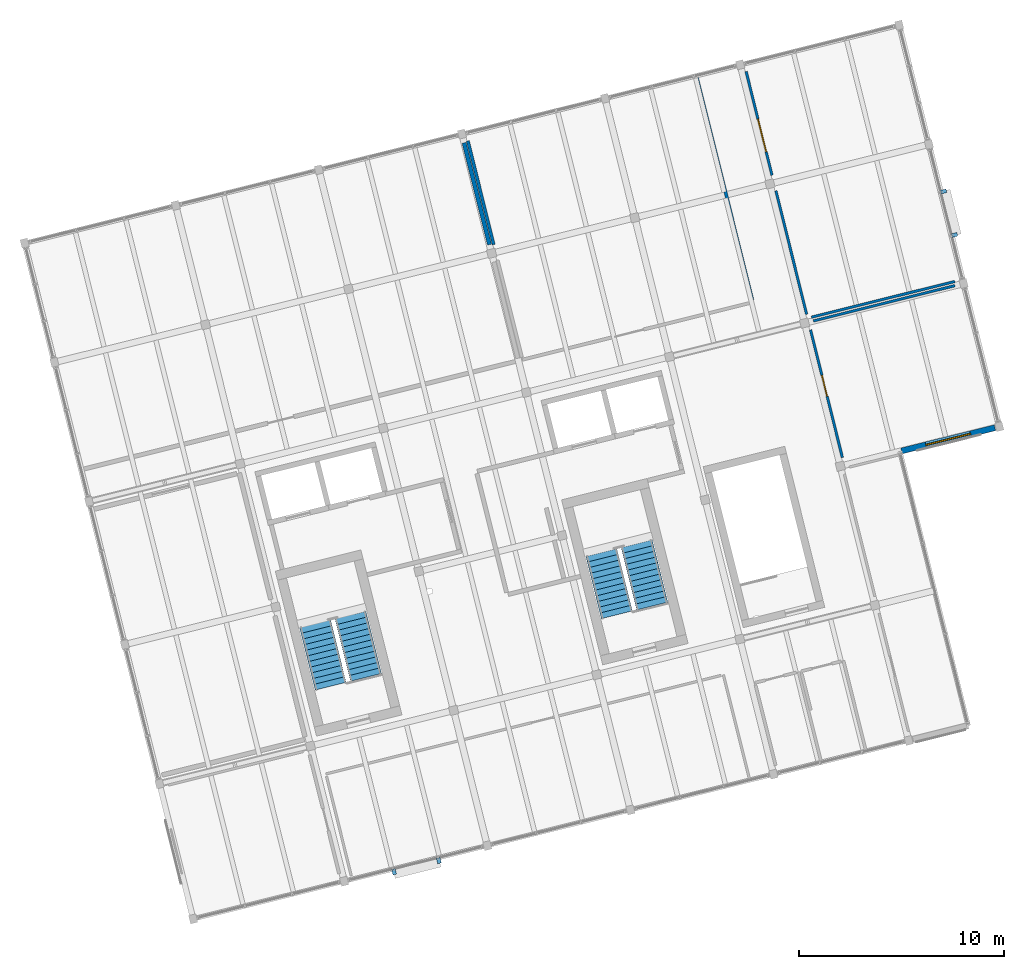
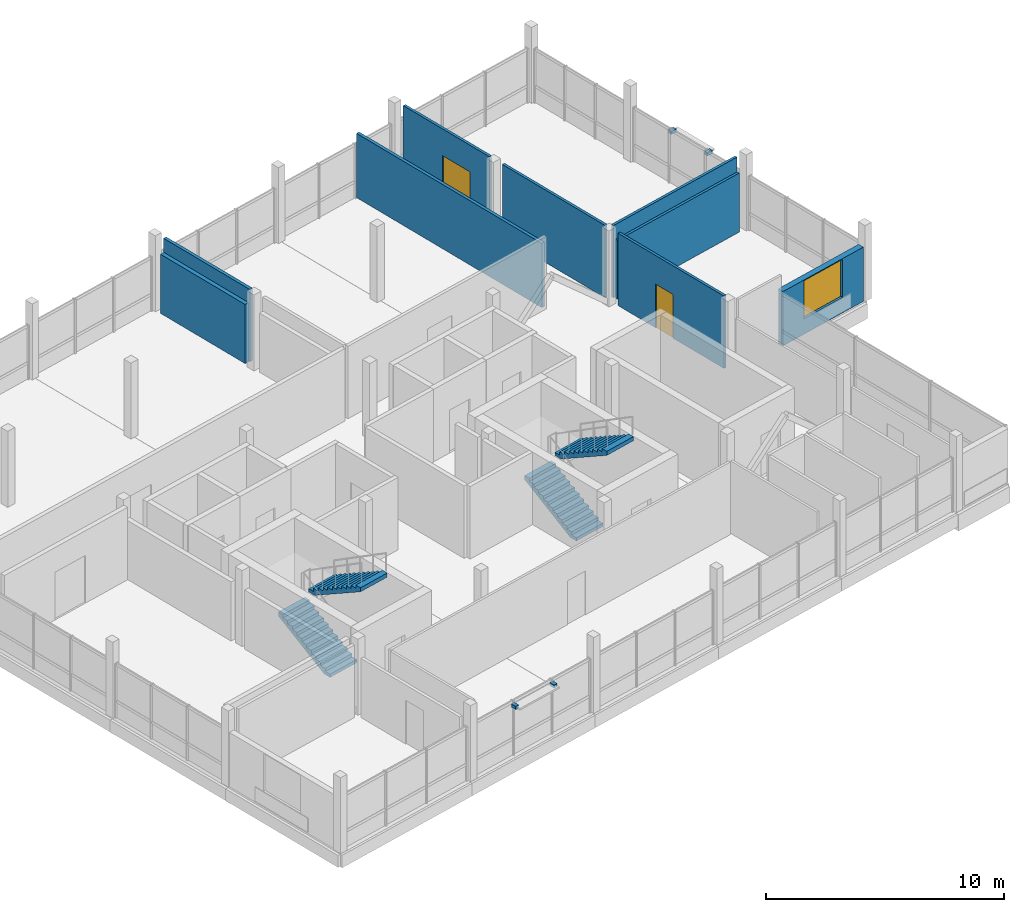
# One storey, part 27 of 28: 9 walls, 4 discrete accessories, 4 stair flights, 2 doors, 1 window, 3 openings, 2 elements without a shape of their own.
"""IFC4 building model written with IfcOpenShell, lengths in metres."""

from ifc_helpers import new_model, si_unit, direction, frame, frame_2d, origin, origin_2d, place, context, subcontext, project, spatial, polyline, rectangle, outline, extrude, material, layer, layer_set, type_object, element, fill, aggregate, save


model = new_model("IFC4")

# Units and contexts
model_context = context("Model", 3, precision=1e-05, world=origin(), true_north=direction((0.0, 1.0)))
body_context = subcontext(model_context, "Body", "Model", "MODEL_VIEW")
ifc_project = project(units=[si_unit("LENGTHUNIT", "METRE"), si_unit("AREAUNIT", "SQUARE_METRE"), si_unit("VOLUMEUNIT", "CUBIC_METRE"), si_unit("PLANEANGLEUNIT", "RADIAN"), si_unit("MASSUNIT", "GRAM", prefix="KILO")], contexts=[model_context])

# Site, building, storey
site_placement = place(None, origin())
site = spatial("IfcSite", under=ifc_project, at=site_placement, CompositionType="ELEMENT")
building_placement = place(site_placement, origin())
building = spatial("IfcBuilding", under=site, at=building_placement, Name="Meriwether Solvik Hall", CompositionType="ELEMENT")
storey_placement = place(building_placement, frame((0.0, 0.0, 30.0)))
storey = spatial("IfcBuildingStorey", under=building, at=storey_placement, Name="L07", CompositionType="ELEMENT", Elevation=30.0)

# Wall, opening, window
ifc_material_1 = material(Name="Cross-Laminated Timber and Mineral-Wool Insulation", Category="wood")
ifc_layer_1 = layer(ifc_material_1, 0.2900390625)
ifc_layer_set_1 = layer_set([ifc_layer_1], Name="Cross-Laminated Timber and Mineral-Wool Insulation")
wall_type_1 = type_object("IfcWallType", Name="WALL-EXT-290", PredefinedType="SOLIDWALL", material=ifc_layer_set_1)
wall_1_placement = place(storey_placement, frame((107.739013671875, 65.180908203125, 0.0), z_axis=(0.0, 0.0, 1.0), x_axis=(-0.970298204302, -0.241911956565, 0.0)))
wall_1 = element("IfcWall", 1, at=wall_1_placement, inside=storey, type_object=wall_type_1, Name="L07 Timber Rainscreen Wall 3.0", PredefinedType="SOLIDWALL", context=body_context, shape_type="SweptSolid", body=[
    extrude(rectangle(XDim=4.697998046875, YDim=0.2900390625, at=frame_2d((2.34912109375, 0.0))), origin(), (0.0, 0.0, 1.0), 2.7900390625),
])
opening_1_placement = place(wall_1_placement, frame((1.22412109375, 0.0, 0.800048828125)))
opening_1 = element("IfcOpeningElement", 2, at=opening_1_placement, cuts=wall_1, Name="Opening WN-150", PredefinedType="OPENING", context=body_context, shape_type="SweptSolid", body=[
    extrude(rectangle(XDim=2.25, YDim=1.949951171875, at=frame_2d((1.125, 0.97509765625))), frame((0.0, 0.156982421875, 0.0), z_axis=(0.0, -1.0, 0.0), x_axis=(1.0, 0.0, 0.0)), (0.0, 0.0, 1.0), 0.31396484375),
])
ifc_material_2 = material(Name="Thermally Broken Anodised Aluminium and Triple Low-E Glass", Category="aluminium")
window_type = type_object("IfcWindowType", Name="WIN-TW-SHARD-225X195", PartitioningType="SINGLE_PANEL", PredefinedType="WINDOW", material=ifc_material_2)
window_placement = place(opening_1_placement, origin())
window = element("IfcWindow", 3, at=window_placement, inside=storey, type_object=window_type, Name="L07 Punched Window 3.0", OverallHeight=1.949951171875, OverallWidth=2.25, PartitioningType="SINGLE_PANEL", PredefinedType="WINDOW", context=body_context, shape_type="SweptSolid", body=[
    extrude(rectangle(XDim=2.25, YDim=1.949951171875, at=frame_2d((1.125, 0.97509765625))), frame((0.0, 0.030029296875, 0.0), z_axis=(0.0, -1.0, 0.0), x_axis=(1.0, 0.0, 0.0)), (0.0, 0.0, 1.0), 0.06005859375),
])
fill(opening_1, window)

# Walls
ifc_material_3 = material(Name="Fire-Rated Type X Gypsum Board", Category="gypsum")
ifc_layer_2 = layer(ifc_material_3, 0.199951171875)
ifc_layer_set_2 = layer_set([ifc_layer_2], Name="Fire-Rated Type X Gypsum Board")
wall_type_2 = type_object("IfcWallType", Name="WALL-FIRE-200", PredefinedType="STANDARD", material=ifc_layer_set_2)
wall_2_placement = place(storey_placement, frame((83.066650390625, 74.115966796875, 0.0), z_axis=(0.0, 0.0, 1.0), x_axis=(-0.241941301347, 0.970290887674, 0.0)))
element("IfcWall", 4, at=wall_2_placement, inside=storey, type_object=wall_type_2, Name="L07 Interior Partition lab_nw_e_s2", PredefinedType="STANDARD", context=body_context, shape_type="SweptSolid", body=[
    extrude(rectangle(XDim=5.123046875, YDim=0.199951171875, at=frame_2d((2.5615234375, 0.0))), origin(), (0.0, 0.0, 1.0), 3.034912109375),
])
ifc_material_4 = material(Name="Gypsum Board Partition", Category="gypsum")
ifc_layer_3 = layer(ifc_material_4, 0.125)
ifc_layer_set_3 = layer_set([ifc_layer_3], Name="Gypsum Board Partition")
wall_type_3 = type_object("IfcWallType", Name="WALL-PART-125", PredefinedType="PARTITIONING", material=ifc_layer_set_3)
wall_3_placement = place(storey_placement, frame((105.787353515625, 72.11474609375, 0.0), z_axis=(0.0, 0.0, 1.0), x_axis=(-0.97029150847, -0.241938811667, 0.0)))
element("IfcWall", 5, at=wall_3_placement, inside=storey, type_object=wall_type_3, Name="L07 Interior Partition off_e1_n", PredefinedType="PARTITIONING", context=body_context, shape_type="SweptSolid", body=[
    extrude(rectangle(XDim=7.123291015625, YDim=0.125, at=frame_2d((3.5615234375, 0.0))), origin(), (0.0, 0.0, 1.0), 3.034912109375),
])

# Wall, opening, door
wall_4_placement = place(storey_placement, frame((98.738525390625, 69.95556640625, 0.0), z_axis=(0.0, 0.0, 1.0), x_axis=(0.241945001105, -0.970289965134, 0.0)))
wall_4 = element("IfcWall", 6, at=wall_4_placement, inside=storey, type_object=wall_type_3, Name="L07 Interior Partition off_e1_w", PredefinedType="PARTITIONING", context=body_context, shape_type="SweptSolid", body=[
    extrude(rectangle(XDim=6.419677734375, YDim=0.125, at=frame_2d((3.2099609375, 0.0))), origin(), (0.0, 0.0, 1.0), 3.719970703125),
])
opening_2_placement = place(wall_4_placement, frame((2.29052734375, 0.0, 0.0)))
opening_2 = element("IfcOpeningElement", 7, at=opening_2_placement, cuts=wall_4, Name="Opening D-175", PredefinedType="OPENING", context=body_context, shape_type="SweptSolid", body=[
    extrude(rectangle(XDim=1.050048828125, YDim=2.25, at=frame_2d((0.52490234375, 1.125))), frame((0.0, 0.074462890625, 0.0), z_axis=(0.0, -1.0, 0.0), x_axis=(1.0, 0.0, 0.0)), (0.0, 0.0, 1.0), 0.14892578125),
])
ifc_material_5 = material(Name="Solid-Core Rift White Oak Timber", Category="wood")
door_type_1 = type_object("IfcDoorType", Name="DR-FEL-1050L", OperationType="SINGLE_SWING_LEFT", PredefinedType="DOOR", material=ifc_material_5)
door_1_placement = place(opening_2_placement, origin())
door_1 = element("IfcDoor", 8, at=door_1_placement, inside=storey, type_object=door_type_1, Name="L07 Faculty Research Suite Door", OperationType="SINGLE_SWING_LEFT", OverallHeight=2.25, OverallWidth=1.050048828125, PredefinedType="DOOR", context=body_context, shape_type="SweptSolid", body=[
    extrude(rectangle(XDim=1.050048828125, YDim=2.25, at=frame_2d((0.52490234375, 1.125))), frame((0.0, 0.02490234375, 0.0), z_axis=(0.0, -1.0, 0.0), x_axis=(1.0, 0.0, 0.0)), (0.0, 0.0, 1.0), 0.050048828125),
])
fill(opening_2, door_1)

# Wall
wall_5_placement = place(storey_placement, frame((98.780029296875, 70.57373046875, 0.0), z_axis=(0.0, 0.0, 1.0), x_axis=(0.970295475322, 0.241922902117, 0.0)))
element("IfcWall", 9, at=wall_5_placement, inside=storey, type_object=wall_type_3, Name="L07 Interior Partition off_e2_s", PredefinedType="PARTITIONING", context=body_context, shape_type="SweptSolid", body=[
    extrude(rectangle(XDim=7.219482421875, YDim=0.125, at=frame_2d((3.60986328125, 0.0))), origin(), (0.0, 0.0, 1.0), 3.719970703125),
])

# Wall, opening, door
wall_6_placement = place(storey_placement, frame((95.59375, 82.5693359375, 0.0), z_axis=(0.0, 0.0, 1.0), x_axis=(0.241919249358, -0.970296386054, 0.0)))
wall_6 = element("IfcWall", 10, at=wall_6_placement, inside=storey, type_object=wall_type_3, Name="L07 Interior Partition off_e2_w", PredefinedType="PARTITIONING", context=body_context, shape_type="SweptSolid", body=[
    extrude(rectangle(XDim=5.219482421875, YDim=0.125, at=frame_2d((2.60986328125, 0.0))), origin(), (0.0, 0.0, 1.0), 3.719970703125),
])
opening_3_placement = place(wall_6_placement, frame((2.391845703125, 0.0, 0.0)))
opening_3 = element("IfcOpeningElement", 11, at=opening_3_placement, cuts=wall_6, Name="Opening D-137", PredefinedType="OPENING", context=body_context, shape_type="SweptSolid", body=[
    extrude(rectangle(XDim=1.64990234375, YDim=2.35009765625, at=frame_2d((0.824951171875, 1.175048828125))), frame((0.0, 0.074462890625, 0.0), z_axis=(0.0, -1.0, 0.0), x_axis=(1.0, 0.0, 0.0)), (0.0, 0.0, 1.0), 0.14892578125),
])
ifc_material_6 = material(Name="Laminated Vision Glass and Solid White Oak Timber", Category="wood")
door_type_2 = type_object("IfcDoorType", Name="DR-INT-1650", OperationType="DOUBLE_DOOR_SINGLE_SWING", PredefinedType="DOOR", material=ifc_material_6)
door_2_placement = place(opening_3_placement, origin())
door_2 = element("IfcDoor", 12, at=door_2_placement, inside=storey, type_object=door_type_2, Name="L07 Curriculum Development Workplace Door", OperationType="DOUBLE_DOOR_SINGLE_SWING", OverallHeight=2.35009765625, OverallWidth=1.64990234375, PredefinedType="DOOR", context=body_context, shape_type="SweptSolid", body=[
    extrude(rectangle(XDim=1.64990234375, YDim=2.35009765625, at=frame_2d((0.824951171875, 1.175048828125))), frame((0.0, 0.02490234375, 0.0), z_axis=(0.0, -1.0, 0.0), x_axis=(1.0, 0.0, 0.0)), (0.0, 0.0, 1.0), 0.050048828125),
])
fill(opening_3, door_2)

# Walls
wall_7_placement = place(storey_placement, frame((97.045166015625, 76.74755859375, 0.0), z_axis=(0.0, 0.0, 1.0), x_axis=(0.241925976618, -0.970294708755, 0.0)))
element("IfcWall", 13, at=wall_7_placement, inside=storey, type_object=wall_type_3, Name="L07 Interior Partition off_e2_w_s2", PredefinedType="PARTITIONING", context=body_context, shape_type="SweptSolid", body=[
    extrude(rectangle(XDim=6.219482421875, YDim=0.125, at=frame_2d((3.10986328125, 0.0))), origin(), (0.0, 0.0, 1.0), 3.719970703125),
])
ifc_material_7 = material(Name="Gypsum Board Partition", Category="gypsum")
ifc_layer_4 = layer(ifc_material_7, 0.14990234375)
ifc_layer_set_4 = layer_set([ifc_layer_4], Name="Gypsum Board Partition")
wall_type_4 = type_object("IfcWallType", Name="WALL-PART-150", PredefinedType="PARTITIONING", material=ifc_layer_set_4)
wall_8_placement = place(storey_placement, frame((95.8994140625, 71.422119140625, 0.0), z_axis=(0.0, 0.0, 1.0), x_axis=(-0.241921192876, 0.970295901485, 0.0)))
element("IfcWall", 14, at=wall_8_placement, inside=storey, type_object=wall_type_4, Name="L07 Interior Partition sem_nc_e", PredefinedType="PARTITIONING", context=body_context, shape_type="SweptSolid", body=[
    extrude(rectangle(XDim=11.219970703125, YDim=0.14990234375, at=frame_2d((5.60986328125, 0.0))), origin(), (0.0, 0.0, 1.0), 3.300048828125),
])
wall_9_placement = place(storey_placement, frame((82.009521484375, 79.1826171875, 0.0), z_axis=(0.0, 0.0, 1.0), x_axis=(0.241908270235, -0.970299123359, 0.0)))
element("IfcWall", 15, at=wall_9_placement, inside=storey, type_object=wall_type_4, Name="L07 Interior Partition sem_nc_w", PredefinedType="PARTITIONING", context=body_context, shape_type="SweptSolid", body=[
    extrude(rectangle(XDim=5.2197265625, YDim=0.14990234375, at=frame_2d((2.60986328125, 0.0))), origin(), (0.0, 0.0, 1.0), 3.719970703125),
])

# Stair, stair flights
ifc_material_8 = material(Name="Concrete C40/50", Category="concrete")
stair_type = type_object("IfcStairType", Name="STR-CORE-DOGLEG-A", PredefinedType="TWO_STRAIGHT_RUN_STAIR", material=ifc_material_8)
stair_1_placement = place(storey_placement, origin())
stair_1 = element("IfcStair", 16, at=stair_1_placement, inside=storey, type_object=stair_type, Name="Exit Stair ST-01 (L07)", PredefinedType="TWO_STRAIGHT_RUN_STAIR")
ifc_material_9 = material(Name="Concrete C40/50", Category="concrete")
stair_flight_type = type_object("IfcStairFlightType", Name="SFL-RC-156", PredefinedType="STRAIGHT", material=ifc_material_9)
stair_flight_1_placement = place(storey_placement, frame((75.310791015625, 52.56103515625, 0.0), z_axis=(0.0, 0.0, 1.0), x_axis=(-0.2419218956, 0.970295726276, 0.0)))
stair_flight_1 = element("IfcStairFlight", 17, at=stair_flight_1_placement, type_object=stair_flight_type, Name="Stair ST-01 Lower Flight (L07)", NumberOfRisers=12, NumberOfTreads=11, PredefinedType="STRAIGHT", RiserHeight=0.1625, TreadLength=0.285, context=body_context, shape_type="SweptSolid", body=[
    extrude(outline(polyline([(0.0, 0.0), (0.0, 0.16259765625), (0.284912109375, 0.16259765625), (0.284912109375, 0.324951171875), (0.570068359375, 0.324951171875), (0.570068359375, 0.487548828125), (0.85498046875, 0.487548828125), (0.85498046875, 0.64990234375), (1.139892578125, 0.64990234375), (1.139892578125, 0.8125), (1.425048828125, 0.8125), (1.425048828125, 0.97509765625), (1.7099609375, 0.97509765625), (1.7099609375, 1.137451171875), (1.9951171875, 1.137451171875), (1.9951171875, 1.300048828125), (2.280029296875, 1.300048828125), (2.280029296875, 1.46240234375), (2.56494140625, 1.46240234375), (2.56494140625, 1.625), (2.85009765625, 1.625), (2.85009765625, 1.78759765625), (3.135009765625, 1.78759765625), (3.135009765625, 1.949951171875), (3.135009765625, 1.580322265625), (0.36328125, 0.0), (0.0, 0.0)])), frame((0.0, 0.780029296875, 0.0), z_axis=(0.0, -1.0, 0.0), x_axis=(1.0, 0.0, 0.0)), (0.0, 0.0, 1.0), 1.56005859375),
])
stair_flight_2_placement = place(storey_placement, frame((76.279541015625, 56.033447265625, 1.949951171875), z_axis=(0.0, 0.0, 1.0), x_axis=(0.2419218956, -0.970295726276, 0.0)))
stair_flight_2 = element("IfcStairFlight", 18, at=stair_flight_2_placement, type_object=stair_flight_type, Name="Stair ST-01 Upper Flight (L07)", NumberOfRisers=12, NumberOfTreads=11, PredefinedType="STRAIGHT", RiserHeight=0.1625, TreadLength=0.285, context=body_context, shape_type="SweptSolid", body=[
    extrude(outline(polyline([(0.0, 0.0), (0.0, 0.16259765625), (0.284912109375, 0.16259765625), (0.284912109375, 0.324951171875), (0.570068359375, 0.324951171875), (0.570068359375, 0.487548828125), (0.85498046875, 0.487548828125), (0.85498046875, 0.64990234375), (1.139892578125, 0.64990234375), (1.139892578125, 0.8125), (1.425048828125, 0.8125), (1.425048828125, 0.97509765625), (1.7099609375, 0.97509765625), (1.7099609375, 1.137451171875), (1.9951171875, 1.137451171875), (1.9951171875, 1.300048828125), (2.280029296875, 1.300048828125), (2.280029296875, 1.46240234375), (2.56494140625, 1.46240234375), (2.56494140625, 1.625), (2.85009765625, 1.625), (2.85009765625, 1.78759765625), (3.135009765625, 1.78759765625), (3.135009765625, 1.949951171875), (3.135009765625, 1.580322265625), (0.36328125, 0.0), (0.0, 0.0)])), frame((0.0, 0.780029296875, 0.0), z_axis=(0.0, -1.0, 0.0), x_axis=(1.0, 0.0, 0.0)), (0.0, 0.0, 1.0), 1.56005859375),
])
aggregate(stair_1, [stair_flight_1, stair_flight_2])

stair_2_placement = place(storey_placement, origin())
stair_2 = element("IfcStair", 19, at=stair_2_placement, inside=storey, type_object=stair_type, Name="Exit Stair ST-02 (L07)", PredefinedType="TWO_STRAIGHT_RUN_STAIR")
stair_flight_3_placement = place(storey_placement, frame((89.283203125, 56.044677734375, 0.0), z_axis=(0.0, 0.0, 1.0), x_axis=(-0.2419218956, 0.970295726276, 0.0)))
stair_flight_3 = element("IfcStairFlight", 20, at=stair_flight_3_placement, type_object=stair_flight_type, Name="Stair ST-02 Lower Flight (L07)", NumberOfRisers=12, NumberOfTreads=11, PredefinedType="STRAIGHT", RiserHeight=0.1625, TreadLength=0.285, context=body_context, shape_type="SweptSolid", body=[
    extrude(outline(polyline([(0.0, 0.0), (0.0, 0.16259765625), (0.284912109375, 0.16259765625), (0.284912109375, 0.324951171875), (0.570068359375, 0.324951171875), (0.570068359375, 0.487548828125), (0.85498046875, 0.487548828125), (0.85498046875, 0.64990234375), (1.139892578125, 0.64990234375), (1.139892578125, 0.8125), (1.425048828125, 0.8125), (1.425048828125, 0.97509765625), (1.7099609375, 0.97509765625), (1.7099609375, 1.137451171875), (1.9951171875, 1.137451171875), (1.9951171875, 1.300048828125), (2.280029296875, 1.300048828125), (2.280029296875, 1.46240234375), (2.56494140625, 1.46240234375), (2.56494140625, 1.625), (2.85009765625, 1.625), (2.85009765625, 1.78759765625), (3.135009765625, 1.78759765625), (3.135009765625, 1.949951171875), (3.135009765625, 1.580322265625), (0.36328125, 0.0), (0.0, 0.0)])), frame((0.0, 0.780029296875, 0.0), z_axis=(0.0, -1.0, 0.0), x_axis=(1.0, 0.0, 0.0)), (0.0, 0.0, 1.0), 1.56005859375),
])
stair_flight_4_placement = place(storey_placement, frame((90.251953125, 59.51708984375, 1.949951171875), z_axis=(0.0, 0.0, 1.0), x_axis=(0.2419218956, -0.970295726276, 0.0)))
stair_flight_4 = element("IfcStairFlight", 21, at=stair_flight_4_placement, type_object=stair_flight_type, Name="Stair ST-02 Upper Flight (L07)", NumberOfRisers=12, NumberOfTreads=11, PredefinedType="STRAIGHT", RiserHeight=0.1625, TreadLength=0.285, context=body_context, shape_type="SweptSolid", body=[
    extrude(outline(polyline([(0.0, 0.0), (0.0, 0.16259765625), (0.284912109375, 0.16259765625), (0.284912109375, 0.324951171875), (0.570068359375, 0.324951171875), (0.570068359375, 0.487548828125), (0.85498046875, 0.487548828125), (0.85498046875, 0.64990234375), (1.139892578125, 0.64990234375), (1.139892578125, 0.8125), (1.425048828125, 0.8125), (1.425048828125, 0.97509765625), (1.7099609375, 0.97509765625), (1.7099609375, 1.137451171875), (1.9951171875, 1.137451171875), (1.9951171875, 1.300048828125), (2.280029296875, 1.300048828125), (2.280029296875, 1.46240234375), (2.56494140625, 1.46240234375), (2.56494140625, 1.625), (2.85009765625, 1.625), (2.85009765625, 1.78759765625), (3.135009765625, 1.78759765625), (3.135009765625, 1.949951171875), (3.135009765625, 1.580322265625), (0.36328125, 0.0), (0.0, 0.0)])), frame((0.0, 0.780029296875, 0.0), z_axis=(0.0, -1.0, 0.0), x_axis=(1.0, 0.0, 0.0)), (0.0, 0.0, 1.0), 1.56005859375),
])
aggregate(stair_2, [stair_flight_3, stair_flight_4])

# Discrete accessories
ifc_material_10 = material(Name="Steel A36 Galvanised", Category="steel")
discrete_accessory_type = type_object("IfcDiscreteAccessoryType", Name="ACC-BRK-STL", PredefinedType="BRACKET", material=ifc_material_10)
for number, where, z_axis, x_axis, name in (
    (22, (80.59375, 44.046142578125, 2.490234375), (0.0, 0.0, 1.0), (-0.970295738259, -0.241921847539, 0.0), "Sunshade Outrigger Bracket E0_B1-1"),
    (23, (78.40869140625, 43.501220703125, 2.490234375), (0.0, 0.0, 1.0), (-0.970295738259, -0.241921847539, 0.0), "Sunshade Outrigger Bracket E0_B1-2"),
    (24, (105.237548828125, 76.7109375, 2.490234375), (0.0, 0.0, 1.0), (0.241921751704, -0.970295762153, 0.0), "Sunshade Outrigger Bracket E3_B1-1"),
    (25, (105.76611328125, 74.590576171875, 2.490234375), (0.0, 0.0, 1.0), (0.241921751704, -0.970295762153, 0.0), "Sunshade Outrigger Bracket E3_B1-2"),
):
    element("IfcDiscreteAccessory", number, at=place(storey_placement, frame(where, z_axis=z_axis, x_axis=x_axis)), inside=storey, type_object=discrete_accessory_type, Name=name, PredefinedType="BRACKET", context=body_context, shape_type="SweptSolid", body=[
        extrude(rectangle(XDim=0.179931640625, YDim=0.280029296875, at=origin_2d()), origin(), (0.0, 0.0, 1.0), 0.159912109375),
    ])

save(model, "model.ifc")
